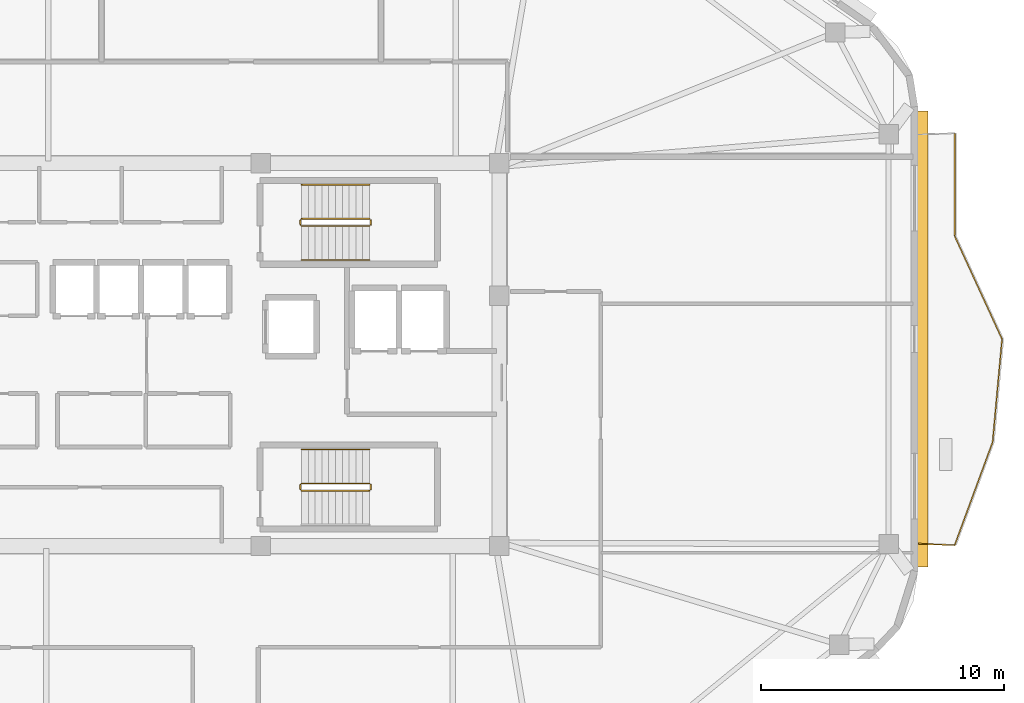
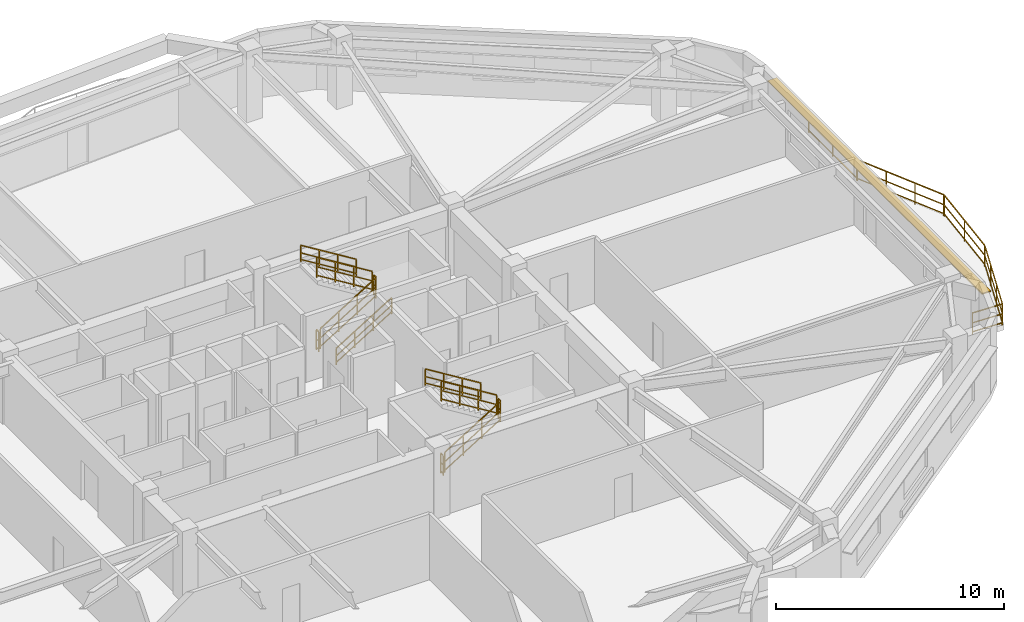
# One storey, part 8 of 9: 16 railings, 1 shading device.
"""IFC4 building model written with IfcOpenShell, lengths in metres."""

from ifc_helpers import new_model, si_unit, direction, frame, origin, origin_2d, place, context, subcontext, project, spatial, rectangle, extrude, material, layer, layer_set, type_object, element, save


model = new_model("IFC4")

# Units and contexts
model_context = context("Model", 3, precision=1e-05, world=origin(), true_north=direction((0.0, 1.0)))
body_context = subcontext(model_context, "Body", "Model", "MODEL_VIEW")
ifc_project = project(units=[si_unit("LENGTHUNIT", "METRE"), si_unit("AREAUNIT", "SQUARE_METRE"), si_unit("VOLUMEUNIT", "CUBIC_METRE"), si_unit("PLANEANGLEUNIT", "RADIAN"), si_unit("MASSUNIT", "GRAM", prefix="KILO")], contexts=[model_context])

# Site, building, storey
site_placement = place(None, origin())
site = spatial("IfcSite", under=ifc_project, at=site_placement, CompositionType="ELEMENT")
building_placement = place(site_placement, origin())
building = spatial("IfcBuilding", under=site, at=building_placement, Name="Zulverin Broadcast Headquarters", CompositionType="ELEMENT")
storey_placement = place(building_placement, frame((0.0, 0.0, 266.800048828125)))
storey = spatial("IfcBuildingStorey", under=building, at=storey_placement, Name="L68", CompositionType="ELEMENT", Elevation=266.800048828125)

# Railings
ifc_material_1 = material(Name="Brushed stainless steel & laminated glass balustrade", Category="steel")
railing_type_1 = type_object("IfcRailingType", Name="RL-GUARD-1150", PredefinedType="GUARDRAIL", material=ifc_material_1)
railing_1_placement = place(storey_placement, frame((65.5400390625, 17.417724609375, 0.0)))
element("IfcRailing", 1, at=railing_1_placement, inside=storey, type_object=railing_type_1, Name="L68 Vertical-Forest Balcony Guardrail BAL_E Segment 01", PredefinedType="GUARDRAIL", context=body_context, shape_type="SweptSolid", body=[
    extrude(rectangle(XDim=0.048095703125, YDim=0.048095703125, at=origin_2d()), frame((0.0, 0.0, 1.1259765625), z_axis=(0.99918088253, -0.040466825742, 0.0), x_axis=(0.040466825742, 0.99918088253, 0.0)), (0.0, 0.0, 1.0), 1.466064453125),
    extrude(rectangle(XDim=0.0419921875, YDim=0.0419921875, at=origin_2d()), frame((0.0, 0.0, 0.597900390625), z_axis=(0.99918088253, -0.040466825742, 0.0), x_axis=(0.040466825742, 0.99918088253, 0.0)), (0.0, 0.0, 1.0), 1.466064453125),
    extrude(rectangle(XDim=0.0419921875, YDim=0.0419921875, at=origin_2d()), frame((0.0, 0.0, 0.1201171875), z_axis=(0.99918088253, -0.040466825742, 0.0), x_axis=(0.040466825742, 0.99918088253, 0.0)), (0.0, 0.0, 1.0), 1.466064453125),
    extrude(rectangle(XDim=0.0419921875, YDim=0.0419921875, at=origin_2d()), origin(), (0.0, 0.0, 1.0), 1.101806640625),
    extrude(rectangle(XDim=0.0419921875, YDim=0.0419921875, at=origin_2d()), frame((1.46484375, -0.059326171875, 0.0)), (0.0, 0.0, 1.0), 1.101806640625),
])
railing_2_placement = place(storey_placement, frame((67.025146484375, 17.371826171875, 0.0)))
element("IfcRailing", 2, at=railing_2_placement, inside=storey, type_object=railing_type_1, Name="L68 Vertical-Forest Balcony Guardrail BAL_E Segment 02", PredefinedType="GUARDRAIL", context=body_context, shape_type="SweptSolid", body=[
    extrude(rectangle(XDim=0.048095703125, YDim=0.048095703125, at=origin_2d()), frame((0.0, 0.0, 1.1259765625), z_axis=(0.345468505745, 0.938430344532, 0.0), x_axis=(-0.938430344532, 0.345468505745, 0.0)), (0.0, 0.0, 1.0), 4.490234375),
    extrude(rectangle(XDim=0.0419921875, YDim=0.0419921875, at=origin_2d()), frame((0.0, 0.0, 0.597900390625), z_axis=(0.345468505745, 0.938430344532, 0.0), x_axis=(-0.938430344532, 0.345468505745, 0.0)), (0.0, 0.0, 1.0), 4.490234375),
    extrude(rectangle(XDim=0.0419921875, YDim=0.0419921875, at=origin_2d()), frame((0.0, 0.0, 0.1201171875), z_axis=(0.345468505745, 0.938430344532, 0.0), x_axis=(-0.938430344532, 0.345468505745, 0.0)), (0.0, 0.0, 1.0), 4.490234375),
    extrude(rectangle(XDim=0.0419921875, YDim=0.0419921875, at=origin_2d()), origin(), (0.0, 0.0, 1.0), 1.101806640625),
    extrude(rectangle(XDim=0.0419921875, YDim=0.0419921875, at=origin_2d()), frame((0.51708984375, 1.404541015625, 0.0)), (0.0, 0.0, 1.0), 1.101806640625),
    extrude(rectangle(XDim=0.0419921875, YDim=0.0419921875, at=origin_2d()), frame((1.0341796875, 2.809326171875, 0.0)), (0.0, 0.0, 1.0), 1.101806640625),
    extrude(rectangle(XDim=0.0419921875, YDim=0.0419921875, at=origin_2d()), frame((1.55126953125, 4.2138671875, 0.0)), (0.0, 0.0, 1.0), 1.101806640625),
])
railing_3_placement = place(storey_placement, frame((68.5830078125, 21.614501953125, 0.0)))
element("IfcRailing", 3, at=railing_3_placement, inside=storey, type_object=railing_type_1, Name="L68 Vertical-Forest Balcony Guardrail BAL_E Segment 03", PredefinedType="GUARDRAIL", context=body_context, shape_type="SweptSolid", body=[
    extrude(rectangle(XDim=0.048095703125, YDim=0.048095703125, at=origin_2d()), frame((0.0, 0.0, 1.1259765625), z_axis=(0.091134182446, 0.995838621861, 0.0), x_axis=(-0.995838621861, 0.091134182446, 0.0)), (0.0, 0.0, 1.0), 4.22998046875),
    extrude(rectangle(XDim=0.0419921875, YDim=0.0419921875, at=origin_2d()), frame((0.0, 0.0, 0.597900390625), z_axis=(0.091134182446, 0.995838621861, 0.0), x_axis=(-0.995838621861, 0.091134182446, 0.0)), (0.0, 0.0, 1.0), 4.22998046875),
    extrude(rectangle(XDim=0.0419921875, YDim=0.0419921875, at=origin_2d()), frame((0.0, 0.0, 0.1201171875), z_axis=(0.091134182446, 0.995838621861, 0.0), x_axis=(-0.995838621861, 0.091134182446, 0.0)), (0.0, 0.0, 1.0), 4.22998046875),
    extrude(rectangle(XDim=0.0419921875, YDim=0.0419921875, at=origin_2d()), origin(), (0.0, 0.0, 1.0), 1.101806640625),
    extrude(rectangle(XDim=0.0419921875, YDim=0.0419921875, at=origin_2d()), frame((0.19287109375, 2.106201171875, 0.0)), (0.0, 0.0, 1.0), 1.101806640625),
    extrude(rectangle(XDim=0.0419921875, YDim=0.0419921875, at=origin_2d()), frame((0.385498046875, 4.21240234375, 0.0)), (0.0, 0.0, 1.0), 1.101806640625),
])
railing_4_placement = place(storey_placement, frame((68.963623046875, 25.855224609375, 0.0)))
element("IfcRailing", 4, at=railing_4_placement, inside=storey, type_object=railing_type_1, Name="L68 Vertical-Forest Balcony Guardrail BAL_E Segment 04", PredefinedType="GUARDRAIL", context=body_context, shape_type="SweptSolid", body=[
    extrude(rectangle(XDim=0.048095703125, YDim=0.048095703125, at=origin_2d()), frame((0.0, 0.0, 1.1259765625), z_axis=(-0.417625840391, 0.908619093701, 0.0), x_axis=(-0.908619093701, -0.417625840391, 0.0)), (0.0, 0.0, 1.0), 4.638671875),
    extrude(rectangle(XDim=0.0419921875, YDim=0.0419921875, at=origin_2d()), frame((0.0, 0.0, 0.597900390625), z_axis=(-0.417625840391, 0.908619093701, 0.0), x_axis=(-0.908619093701, -0.417625840391, 0.0)), (0.0, 0.0, 1.0), 4.638671875),
    extrude(rectangle(XDim=0.0419921875, YDim=0.0419921875, at=origin_2d()), frame((0.0, 0.0, 0.1201171875), z_axis=(-0.417625840391, 0.908619093701, 0.0), x_axis=(-0.908619093701, -0.417625840391, 0.0)), (0.0, 0.0, 1.0), 4.638671875),
    extrude(rectangle(XDim=0.0419921875, YDim=0.0419921875, at=origin_2d()), origin(), (0.0, 0.0, 1.0), 1.101806640625),
    extrude(rectangle(XDim=0.0419921875, YDim=0.0419921875, at=origin_2d()), frame((-0.645751953125, 1.405029296875, 0.0)), (0.0, 0.0, 1.0), 1.101806640625),
    extrude(rectangle(XDim=0.0419921875, YDim=0.0419921875, at=origin_2d()), frame((-1.29150390625, 2.809814453125, 0.0)), (0.0, 0.0, 1.0), 1.101806640625),
    extrude(rectangle(XDim=0.0419921875, YDim=0.0419921875, at=origin_2d()), frame((-1.937255859375, 4.21484375, 0.0)), (0.0, 0.0, 1.0), 1.101806640625),
])
railing_5_placement = place(storey_placement, frame((67.02001953125, 30.0986328125, 0.0)))
element("IfcRailing", 5, at=railing_5_placement, inside=storey, type_object=railing_type_1, Name="L68 Vertical-Forest Balcony Guardrail BAL_E Segment 05", PredefinedType="GUARDRAIL", context=body_context, shape_type="SweptSolid", body=[
    extrude(rectangle(XDim=0.048095703125, YDim=0.048095703125, at=origin_2d()), frame((0.0, 0.0, 1.1259765625), z_axis=(0.0, 1.0, 0.0), x_axis=(-1.0, 0.0, 0.0)), (0.0, 0.0, 1.0), 4.212158203125),
    extrude(rectangle(XDim=0.0419921875, YDim=0.0419921875, at=origin_2d()), frame((0.0, 0.0, 0.597900390625), z_axis=(0.0, 1.0, 0.0), x_axis=(-1.0, 0.0, 0.0)), (0.0, 0.0, 1.0), 4.212158203125),
    extrude(rectangle(XDim=0.0419921875, YDim=0.0419921875, at=origin_2d()), frame((0.0, 0.0, 0.1201171875), z_axis=(0.0, 1.0, 0.0), x_axis=(-1.0, 0.0, 0.0)), (0.0, 0.0, 1.0), 4.212158203125),
    extrude(rectangle(XDim=0.0419921875, YDim=0.0419921875, at=origin_2d()), origin(), (0.0, 0.0, 1.0), 1.101806640625),
    extrude(rectangle(XDim=0.0419921875, YDim=0.0419921875, at=origin_2d()), frame((0.0, 2.10595703125, 0.0)), (0.0, 0.0, 1.0), 1.101806640625),
    extrude(rectangle(XDim=0.0419921875, YDim=0.0419921875, at=origin_2d()), frame((0.0, 4.212158203125, 0.0)), (0.0, 0.0, 1.0), 1.101806640625),
])
ifc_material_2 = material(Name="Painted galvanized steel tubular guardrail S355JR", Category="steel")
railing_type_2 = type_object("IfcRailingType", Name="RL-ST-GUARD", PredefinedType="GUARDRAIL", material=ifc_material_2)
railing_6_placement = place(storey_placement, frame((40.1298828125, 30.5, 0.172607421875)))
element("IfcRailing", 6, at=railing_6_placement, inside=storey, type_object=railing_type_2, Name="L68 ST-1 stair guard 1", PredefinedType="GUARDRAIL", context=body_context, shape_type="SweptSolid", body=[
    extrude(rectangle(XDim=0.048095703125, YDim=0.048095703125, at=origin_2d()), frame((0.0, 0.0, 1.076171875), z_axis=(0.851089632645, 0.0, 0.525020415988), x_axis=(0.0, 1.0, 0.0)), (0.0, 0.0, 1.0), 3.2900390625),
    extrude(rectangle(XDim=0.0419921875, YDim=0.0419921875, at=origin_2d()), frame((0.0, 0.0, 0.572021484375), z_axis=(0.851089632645, 0.0, 0.525020415988), x_axis=(0.0, 1.0, 0.0)), (0.0, 0.0, 1.0), 3.2900390625),
    extrude(rectangle(XDim=0.0419921875, YDim=0.0419921875, at=origin_2d()), frame((0.0, 0.0, 0.1201171875), z_axis=(0.851089632645, 0.0, 0.525020415988), x_axis=(0.0, 1.0, 0.0)), (0.0, 0.0, 1.0), 3.2900390625),
    extrude(rectangle(XDim=0.0419921875, YDim=0.0419921875, at=origin_2d()), origin(), (0.0, 0.0, 1.0), 1.052001953125),
    extrude(rectangle(XDim=0.0419921875, YDim=0.0419921875, at=origin_2d()), frame((0.933349609375, 0.0, 0.57568359375)), (0.0, 0.0, 1.0), 1.052001953125),
    extrude(rectangle(XDim=0.0419921875, YDim=0.0419921875, at=origin_2d()), frame((1.86669921875, 0.0, 1.151611328125)), (0.0, 0.0, 1.0), 1.052001953125),
    extrude(rectangle(XDim=0.0419921875, YDim=0.0419921875, at=origin_2d()), frame((2.800048828125, 0.0, 1.727294921875)), (0.0, 0.0, 1.0), 1.052001953125),
])
railing_7_placement = place(storey_placement, frame((42.97998046875, 30.550048828125, 1.89990234375)))
element("IfcRailing", 7, at=railing_7_placement, inside=storey, type_object=railing_type_2, Name="L68 ST-1 stair guard 2", PredefinedType="GUARDRAIL", context=body_context, shape_type="SweptSolid", body=[
    extrude(rectangle(XDim=0.048095703125, YDim=0.048095703125, at=origin_2d()), frame((0.0, 0.0, 1.076171875), z_axis=(0.0, 1.0, 0.0), x_axis=(-1.0, 0.0, 0.0)), (0.0, 0.0, 1.0), 0.199951171875),
    extrude(rectangle(XDim=0.0419921875, YDim=0.0419921875, at=origin_2d()), frame((0.0, 0.0, 0.572021484375), z_axis=(0.0, 1.0, 0.0), x_axis=(-1.0, 0.0, 0.0)), (0.0, 0.0, 1.0), 0.199951171875),
    extrude(rectangle(XDim=0.0419921875, YDim=0.0419921875, at=origin_2d()), frame((0.0, 0.0, 0.1201171875), z_axis=(0.0, 1.0, 0.0), x_axis=(-1.0, 0.0, 0.0)), (0.0, 0.0, 1.0), 0.199951171875),
    extrude(rectangle(XDim=0.0419921875, YDim=0.0419921875, at=origin_2d()), origin(), (0.0, 0.0, 1.0), 1.052001953125),
    extrude(rectangle(XDim=0.0419921875, YDim=0.0419921875, at=origin_2d()), frame((0.0, 0.199951171875, 0.0)), (0.0, 0.0, 1.0), 1.052001953125),
])
railing_8_placement = place(storey_placement, frame((42.929931640625, 30.800048828125, 2.07275390625)))
element("IfcRailing", 8, at=railing_8_placement, inside=storey, type_object=railing_type_2, Name="L68 ST-1 stair guard 3", PredefinedType="GUARDRAIL", context=body_context, shape_type="SweptSolid", body=[
    extrude(rectangle(XDim=0.048095703125, YDim=0.048095703125, at=origin_2d()), frame((0.0, 0.0, 1.076171875), z_axis=(-0.851089632645, 0.0, 0.525020415988), x_axis=(0.0, -1.0, 0.0)), (0.0, 0.0, 1.0), 3.2900390625),
    extrude(rectangle(XDim=0.0419921875, YDim=0.0419921875, at=origin_2d()), frame((0.0, 0.0, 0.572021484375), z_axis=(-0.851089632645, 0.0, 0.525020415988), x_axis=(0.0, -1.0, 0.0)), (0.0, 0.0, 1.0), 3.2900390625),
    extrude(rectangle(XDim=0.0419921875, YDim=0.0419921875, at=origin_2d()), frame((0.0, 0.0, 0.1201171875), z_axis=(-0.851089632645, 0.0, 0.525020415988), x_axis=(0.0, -1.0, 0.0)), (0.0, 0.0, 1.0), 3.2900390625),
    extrude(rectangle(XDim=0.0419921875, YDim=0.0419921875, at=origin_2d()), origin(), (0.0, 0.0, 1.0), 1.052001953125),
    extrude(rectangle(XDim=0.0419921875, YDim=0.0419921875, at=origin_2d()), frame((-0.933349609375, 0.0, 0.57568359375)), (0.0, 0.0, 1.0), 1.052001953125),
    extrude(rectangle(XDim=0.0419921875, YDim=0.0419921875, at=origin_2d()), frame((-1.86669921875, 0.0, 1.151611328125)), (0.0, 0.0, 1.0), 1.052001953125),
    extrude(rectangle(XDim=0.0419921875, YDim=0.0419921875, at=origin_2d()), frame((-2.800048828125, 0.0, 1.727294921875)), (0.0, 0.0, 1.0), 1.052001953125),
])
railing_9_placement = place(storey_placement, frame((40.080078125, 30.550048828125, 0.0)))
element("IfcRailing", 9, at=railing_9_placement, inside=storey, type_object=railing_type_2, Name="L68 ST-1 stair guard 4", PredefinedType="GUARDRAIL", context=body_context, shape_type="SweptSolid", body=[
    extrude(rectangle(XDim=0.048095703125, YDim=0.048095703125, at=origin_2d()), frame((0.0, 0.0, 1.076171875), z_axis=(0.0, 1.0, 0.0), x_axis=(-1.0, 0.0, 0.0)), (0.0, 0.0, 1.0), 0.199951171875),
    extrude(rectangle(XDim=0.0419921875, YDim=0.0419921875, at=origin_2d()), frame((0.0, 0.0, 0.572021484375), z_axis=(0.0, 1.0, 0.0), x_axis=(-1.0, 0.0, 0.0)), (0.0, 0.0, 1.0), 0.199951171875),
    extrude(rectangle(XDim=0.0419921875, YDim=0.0419921875, at=origin_2d()), frame((0.0, 0.0, 0.1201171875), z_axis=(0.0, 1.0, 0.0), x_axis=(-1.0, 0.0, 0.0)), (0.0, 0.0, 1.0), 0.199951171875),
    extrude(rectangle(XDim=0.0419921875, YDim=0.0419921875, at=origin_2d()), origin(), (0.0, 0.0, 1.0), 1.052001953125),
    extrude(rectangle(XDim=0.0419921875, YDim=0.0419921875, at=origin_2d()), frame((0.0, 0.199951171875, 0.0)), (0.0, 0.0, 1.0), 1.052001953125),
])
railing_10_placement = place(storey_placement, frame((40.1298828125, 19.60009765625, 0.172607421875)))
element("IfcRailing", 10, at=railing_10_placement, inside=storey, type_object=railing_type_2, Name="L68 ST-2 stair guard 1", PredefinedType="GUARDRAIL", context=body_context, shape_type="SweptSolid", body=[
    extrude(rectangle(XDim=0.048095703125, YDim=0.048095703125, at=origin_2d()), frame((0.0, 0.0, 1.076171875), z_axis=(0.851089632645, 0.0, 0.525020415988), x_axis=(0.0, 1.0, 0.0)), (0.0, 0.0, 1.0), 3.2900390625),
    extrude(rectangle(XDim=0.0419921875, YDim=0.0419921875, at=origin_2d()), frame((0.0, 0.0, 0.572021484375), z_axis=(0.851089632645, 0.0, 0.525020415988), x_axis=(0.0, 1.0, 0.0)), (0.0, 0.0, 1.0), 3.2900390625),
    extrude(rectangle(XDim=0.0419921875, YDim=0.0419921875, at=origin_2d()), frame((0.0, 0.0, 0.1201171875), z_axis=(0.851089632645, 0.0, 0.525020415988), x_axis=(0.0, 1.0, 0.0)), (0.0, 0.0, 1.0), 3.2900390625),
    extrude(rectangle(XDim=0.0419921875, YDim=0.0419921875, at=origin_2d()), origin(), (0.0, 0.0, 1.0), 1.052001953125),
    extrude(rectangle(XDim=0.0419921875, YDim=0.0419921875, at=origin_2d()), frame((0.933349609375, 0.0, 0.57568359375)), (0.0, 0.0, 1.0), 1.052001953125),
    extrude(rectangle(XDim=0.0419921875, YDim=0.0419921875, at=origin_2d()), frame((1.86669921875, 0.0, 1.151611328125)), (0.0, 0.0, 1.0), 1.052001953125),
    extrude(rectangle(XDim=0.0419921875, YDim=0.0419921875, at=origin_2d()), frame((2.800048828125, 0.0, 1.727294921875)), (0.0, 0.0, 1.0), 1.052001953125),
])
railing_11_placement = place(storey_placement, frame((42.97998046875, 19.64990234375, 1.89990234375)))
element("IfcRailing", 11, at=railing_11_placement, inside=storey, type_object=railing_type_2, Name="L68 ST-2 stair guard 2", PredefinedType="GUARDRAIL", context=body_context, shape_type="SweptSolid", body=[
    extrude(rectangle(XDim=0.048095703125, YDim=0.048095703125, at=origin_2d()), frame((0.0, 0.0, 1.076171875), z_axis=(0.0, 1.0, 0.0), x_axis=(-1.0, 0.0, 0.0)), (0.0, 0.0, 1.0), 0.2001953125),
    extrude(rectangle(XDim=0.0419921875, YDim=0.0419921875, at=origin_2d()), frame((0.0, 0.0, 0.572021484375), z_axis=(0.0, 1.0, 0.0), x_axis=(-1.0, 0.0, 0.0)), (0.0, 0.0, 1.0), 0.2001953125),
    extrude(rectangle(XDim=0.0419921875, YDim=0.0419921875, at=origin_2d()), frame((0.0, 0.0, 0.1201171875), z_axis=(0.0, 1.0, 0.0), x_axis=(-1.0, 0.0, 0.0)), (0.0, 0.0, 1.0), 0.2001953125),
    extrude(rectangle(XDim=0.0419921875, YDim=0.0419921875, at=origin_2d()), origin(), (0.0, 0.0, 1.0), 1.052001953125),
    extrude(rectangle(XDim=0.0419921875, YDim=0.0419921875, at=origin_2d()), frame((0.0, 0.2001953125, 0.0)), (0.0, 0.0, 1.0), 1.052001953125),
])
railing_12_placement = place(storey_placement, frame((42.929931640625, 19.89990234375, 2.07275390625)))
element("IfcRailing", 12, at=railing_12_placement, inside=storey, type_object=railing_type_2, Name="L68 ST-2 stair guard 3", PredefinedType="GUARDRAIL", context=body_context, shape_type="SweptSolid", body=[
    extrude(rectangle(XDim=0.048095703125, YDim=0.048095703125, at=origin_2d()), frame((0.0, 0.0, 1.076171875), z_axis=(-0.851089632645, 0.0, 0.525020415988), x_axis=(0.0, -1.0, 0.0)), (0.0, 0.0, 1.0), 3.2900390625),
    extrude(rectangle(XDim=0.0419921875, YDim=0.0419921875, at=origin_2d()), frame((0.0, 0.0, 0.572021484375), z_axis=(-0.851089632645, 0.0, 0.525020415988), x_axis=(0.0, -1.0, 0.0)), (0.0, 0.0, 1.0), 3.2900390625),
    extrude(rectangle(XDim=0.0419921875, YDim=0.0419921875, at=origin_2d()), frame((0.0, 0.0, 0.1201171875), z_axis=(-0.851089632645, 0.0, 0.525020415988), x_axis=(0.0, -1.0, 0.0)), (0.0, 0.0, 1.0), 3.2900390625),
    extrude(rectangle(XDim=0.0419921875, YDim=0.0419921875, at=origin_2d()), origin(), (0.0, 0.0, 1.0), 1.052001953125),
    extrude(rectangle(XDim=0.0419921875, YDim=0.0419921875, at=origin_2d()), frame((-0.933349609375, 0.0, 0.57568359375)), (0.0, 0.0, 1.0), 1.052001953125),
    extrude(rectangle(XDim=0.0419921875, YDim=0.0419921875, at=origin_2d()), frame((-1.86669921875, 0.0, 1.151611328125)), (0.0, 0.0, 1.0), 1.052001953125),
    extrude(rectangle(XDim=0.0419921875, YDim=0.0419921875, at=origin_2d()), frame((-2.800048828125, 0.0, 1.727294921875)), (0.0, 0.0, 1.0), 1.052001953125),
])
railing_13_placement = place(storey_placement, frame((40.080078125, 19.64990234375, 0.0)))
element("IfcRailing", 13, at=railing_13_placement, inside=storey, type_object=railing_type_2, Name="L68 ST-2 stair guard 4", PredefinedType="GUARDRAIL", context=body_context, shape_type="SweptSolid", body=[
    extrude(rectangle(XDim=0.048095703125, YDim=0.048095703125, at=origin_2d()), frame((0.0, 0.0, 1.076171875), z_axis=(0.0, 1.0, 0.0), x_axis=(-1.0, 0.0, 0.0)), (0.0, 0.0, 1.0), 0.2001953125),
    extrude(rectangle(XDim=0.0419921875, YDim=0.0419921875, at=origin_2d()), frame((0.0, 0.0, 0.572021484375), z_axis=(0.0, 1.0, 0.0), x_axis=(-1.0, 0.0, 0.0)), (0.0, 0.0, 1.0), 0.2001953125),
    extrude(rectangle(XDim=0.0419921875, YDim=0.0419921875, at=origin_2d()), frame((0.0, 0.0, 0.1201171875), z_axis=(0.0, 1.0, 0.0), x_axis=(-1.0, 0.0, 0.0)), (0.0, 0.0, 1.0), 0.2001953125),
    extrude(rectangle(XDim=0.0419921875, YDim=0.0419921875, at=origin_2d()), origin(), (0.0, 0.0, 1.0), 1.052001953125),
    extrude(rectangle(XDim=0.0419921875, YDim=0.0419921875, at=origin_2d()), frame((0.0, 0.2001953125, 0.0)), (0.0, 0.0, 1.0), 1.052001953125),
])
ifc_material_3 = material(Name="Brushed stainless steel 48 mm handrail", Category="steel")
railing_type_3 = type_object("IfcRailingType", Name="RL-ST-HAND", PredefinedType="HANDRAIL", material=ifc_material_3)
railing_14_placement = place(storey_placement, frame((40.1298828125, 29.10009765625, 0.172607421875)))
element("IfcRailing", 14, at=railing_14_placement, inside=storey, type_object=railing_type_3, Name="L68 ST-1 stair handrail 1", PredefinedType="HANDRAIL", context=body_context, shape_type="SweptSolid", body=[
    extrude(rectangle(XDim=0.048095703125, YDim=0.048095703125, at=origin_2d()), frame((0.0, 0.0, 0.8759765625), z_axis=(0.851089632645, 0.0, 0.525020415988), x_axis=(0.0, 1.0, 0.0)), (0.0, 0.0, 1.0), 3.2900390625),
    extrude(rectangle(XDim=0.0419921875, YDim=0.0419921875, at=origin_2d()), frame((0.0, 0.0, 0.468017578125), z_axis=(0.851089632645, 0.0, 0.525020415988), x_axis=(0.0, 1.0, 0.0)), (0.0, 0.0, 1.0), 3.2900390625),
    extrude(rectangle(XDim=0.0419921875, YDim=0.0419921875, at=origin_2d()), frame((0.0, 0.0, 0.1201171875), z_axis=(0.851089632645, 0.0, 0.525020415988), x_axis=(0.0, 1.0, 0.0)), (0.0, 0.0, 1.0), 3.2900390625),
    extrude(rectangle(XDim=0.0419921875, YDim=0.0419921875, at=origin_2d()), origin(), (0.0, 0.0, 1.0), 0.851806640625),
    extrude(rectangle(XDim=0.0419921875, YDim=0.0419921875, at=origin_2d()), frame((0.933349609375, 0.0, 0.57568359375)), (0.0, 0.0, 1.0), 0.851806640625),
    extrude(rectangle(XDim=0.0419921875, YDim=0.0419921875, at=origin_2d()), frame((1.86669921875, 0.0, 1.151611328125)), (0.0, 0.0, 1.0), 0.851806640625),
    extrude(rectangle(XDim=0.0419921875, YDim=0.0419921875, at=origin_2d()), frame((2.800048828125, 0.0, 1.727294921875)), (0.0, 0.0, 1.0), 0.851806640625),
])
for number, where, name in (
    (15, (42.929931640625, 32.199951171875, 2.07275390625), "L68 ST-1 stair handrail 2"),
    (16, (42.929931640625, 21.300048828125, 2.07275390625), "L68 ST-2 stair handrail 2"),
):
    element("IfcRailing", number, at=place(storey_placement, frame(where)), inside=storey, type_object=railing_type_3, Name=name, PredefinedType="HANDRAIL", context=body_context, shape_type="SweptSolid", body=[
        extrude(rectangle(XDim=0.048095703125, YDim=0.048095703125, at=origin_2d()), frame((0.0, 0.0, 0.8759765625), z_axis=(-0.851089632645, 0.0, 0.525020415988), x_axis=(0.0, -1.0, 0.0)), (0.0, 0.0, 1.0), 3.2900390625),
        extrude(rectangle(XDim=0.0419921875, YDim=0.0419921875, at=origin_2d()), frame((0.0, 0.0, 0.468017578125), z_axis=(-0.851089632645, 0.0, 0.525020415988), x_axis=(0.0, -1.0, 0.0)), (0.0, 0.0, 1.0), 3.2900390625),
        extrude(rectangle(XDim=0.0419921875, YDim=0.0419921875, at=origin_2d()), frame((0.0, 0.0, 0.1201171875), z_axis=(-0.851089632645, 0.0, 0.525020415988), x_axis=(0.0, -1.0, 0.0)), (0.0, 0.0, 1.0), 3.2900390625),
        extrude(rectangle(XDim=0.0419921875, YDim=0.0419921875, at=origin_2d()), origin(), (0.0, 0.0, 1.0), 0.851806640625),
        extrude(rectangle(XDim=0.0419921875, YDim=0.0419921875, at=origin_2d()), frame((-0.933349609375, 0.0, 0.57568359375)), (0.0, 0.0, 1.0), 0.851806640625),
        extrude(rectangle(XDim=0.0419921875, YDim=0.0419921875, at=origin_2d()), frame((-1.86669921875, 0.0, 1.151611328125)), (0.0, 0.0, 1.0), 0.851806640625),
        extrude(rectangle(XDim=0.0419921875, YDim=0.0419921875, at=origin_2d()), frame((-2.800048828125, 0.0, 1.727294921875)), (0.0, 0.0, 1.0), 0.851806640625),
    ])

# Shading device
ifc_material_4 = material(Name="Anodized pale-metal aluminium sunshade", Category="aluminium")
ifc_layer = layer(ifc_material_4, 0.06005859375, Name="Anodized pale-metal aluminium sunshade", Category="aluminium")
ifc_layer_set = layer_set([ifc_layer], Name="Anodized pale-metal aluminium sunshade")
shading_device_type = type_object("IfcShadingDeviceType", Name="SS-01_PALE_METAL_ALUMINIUM_SUNSHADE", PredefinedType="USERDEFINED", material=ifc_layer_set)
shading_device_placement = place(storey_placement, frame((65.699951171875, 25.841796875, 2.7099609375), z_axis=(0.0, 0.0, 1.0), x_axis=(0.0, 1.0, 0.0)))
element("IfcShadingDevice", 17, at=shading_device_placement, inside=storey, type_object=shading_device_type, Name="L68 Horizontal Pale-Metal Sunshade Band 3", ObjectType="SUNSHADE", PredefinedType="USERDEFINED", context=body_context, shape_type="SweptSolid", body=[
    extrude(rectangle(XDim=18.76806640625, YDim=0.449951171875, at=origin_2d()), origin(), (0.0, 0.0, 1.0), 0.06005859375),
])

save(model, "model.ifc")
